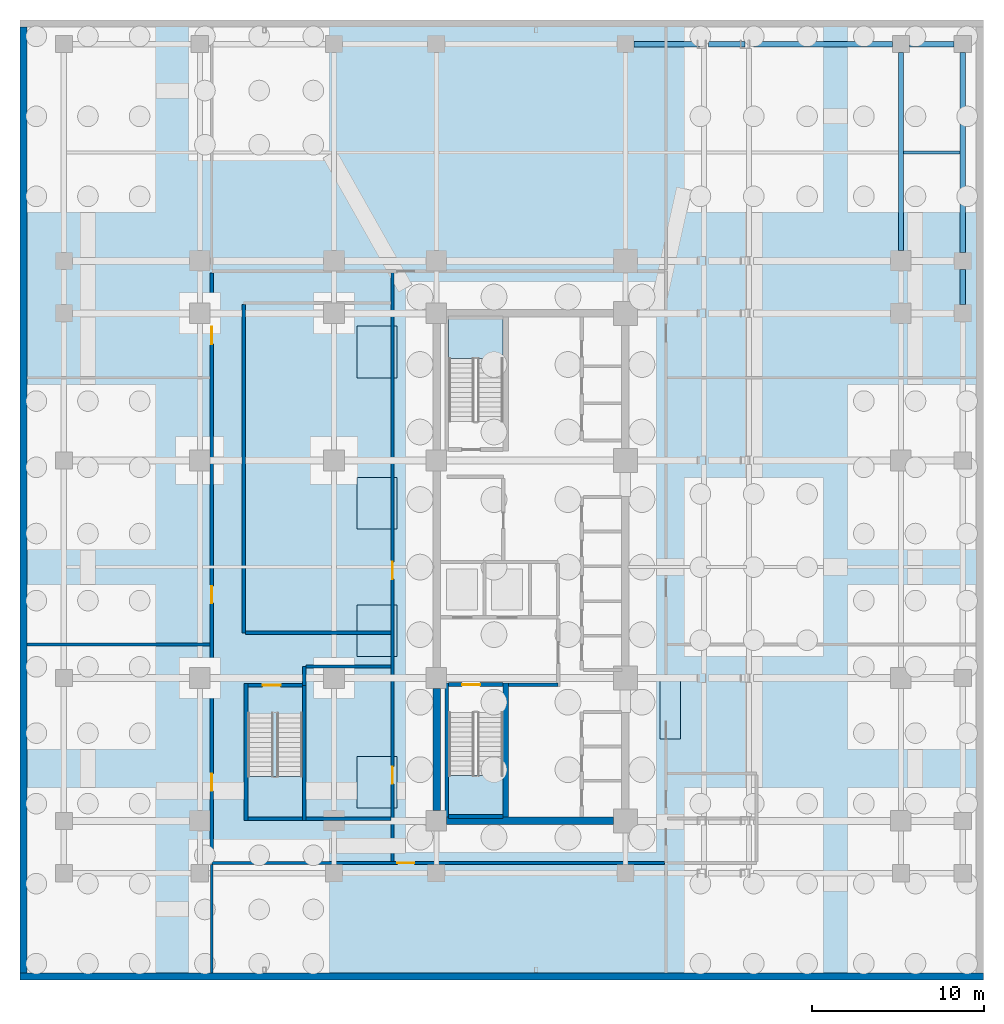
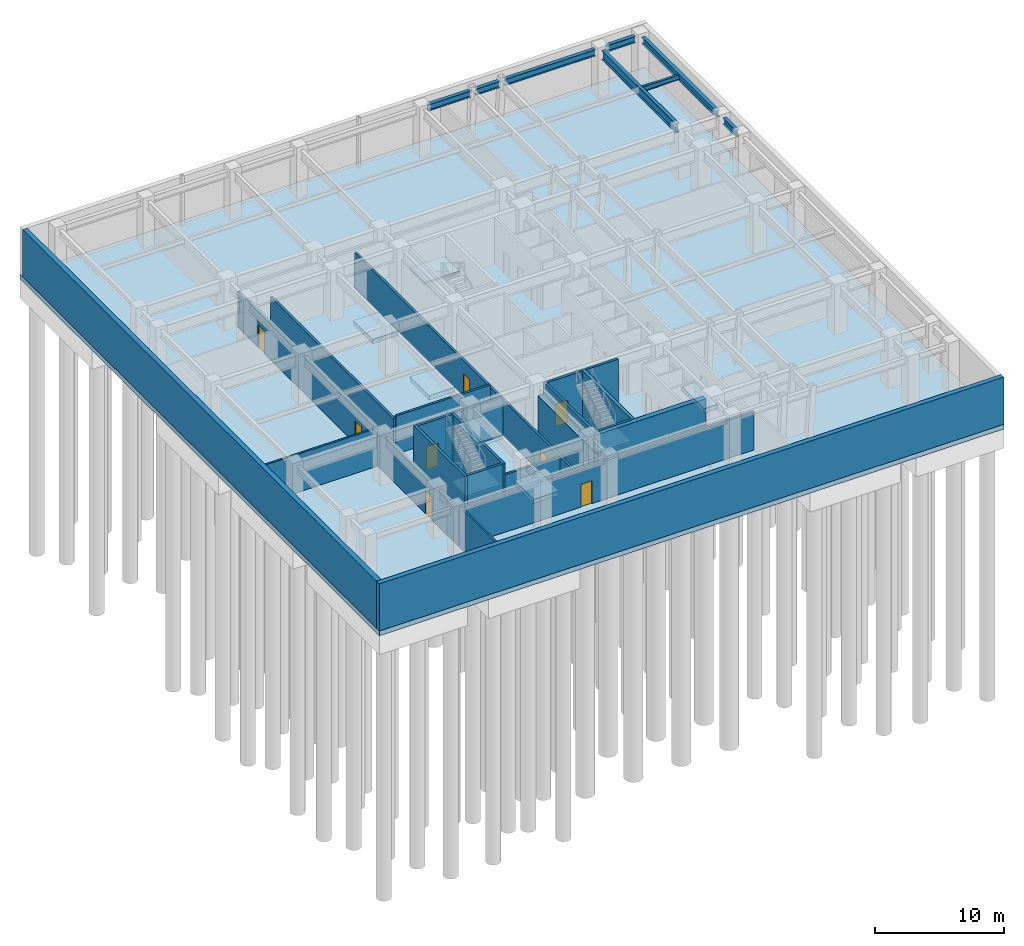
# One storey, part 9 of 13: 23 walls, 9 slabs, 8 beams, 8 doors, 8 openings, 3 elements without a shape of their own.
"""IFC4 building model written with IfcOpenShell, lengths in metres."""

from ifc_helpers import new_model, si_unit, direction, frame, frame_2d, origin, origin_2d, place, context, subcontext, project, spatial, polyline, rectangle, i_section, outline, extrude, material, layer, layer_set, material_profile, profile_set, type_object, element, fill, aggregate, save


model = new_model("IFC4")

# Units and contexts
model_context = context("Model", 3, precision=1e-05, world=origin(), true_north=direction((0.0, 1.0)))
body_context = subcontext(model_context, "Body", "Model", "MODEL_VIEW")
ifc_project = project(units=[si_unit("LENGTHUNIT", "METRE"), si_unit("AREAUNIT", "SQUARE_METRE"), si_unit("VOLUMEUNIT", "CUBIC_METRE"), si_unit("PLANEANGLEUNIT", "RADIAN"), si_unit("MASSUNIT", "GRAM", prefix="KILO")], contexts=[model_context])

# Site, building, storey
site_placement = place(None, origin())
site = spatial("IfcSite", under=ifc_project, at=site_placement, CompositionType="ELEMENT")
building_placement = place(site_placement, origin())
building = spatial("IfcBuilding", under=site, at=building_placement, Name="Ochreholt Gables", CompositionType="ELEMENT")
storey_placement = place(building_placement, frame((0.0, 0.0, -9.60009765625)))
storey = spatial("IfcBuildingStorey", under=building, at=storey_placement, Name="B2", CompositionType="ELEMENT", Elevation=-9.60009765625)

# Beams
ifc_material_1 = material(Name="Steel CSA G40.21 350W", Category="steel")
ifc_material_profile_1 = material_profile(ifc_material_1, i_section(OverallWidth=0.2939453125, OverallDepth=0.85107421875, WebThickness=0.01611328125, FlangeThickness=0.02685546875, at=origin_2d()), Name="W840X226")
ifc_profile_set_1 = profile_set([ifc_material_profile_1], Name="Steel CSA G40.21 350W")
beam_type_1 = type_object("IfcBeamType", Name="BM-G-W840", PredefinedType="BEAM", material=ifc_profile_set_1)
beam_1_placement = place(storey_placement, frame((51.199951171875, 42.399658203125, 4.0546875), z_axis=(0.0, 1.0, 0.0), x_axis=(-1.0, 0.0, 0.0)))
element("IfcBeam", 1, at=beam_1_placement, inside=storey, type_object=beam_type_1, Name="B2 Beam BG-B2-E3-Y6Y7", PredefinedType="BEAM", context=body_context, shape_type="SweptSolid", body=[
    extrude(i_section(OverallWidth=0.2939453125, OverallDepth=0.85107421875, WebThickness=0.01611328125, FlangeThickness=0.02685546875, at=origin_2d()), origin(), (0.0, 0.0, 1.0), 11.500732421875),
])
ifc_material_profile_2 = material_profile(ifc_material_1, i_section(OverallWidth=0.18994140625, OverallDepth=0.45703125, WebThickness=0.009033203125, FlangeThickness=0.014404296875, at=origin_2d()), Name="W460X74")
ifc_profile_set_2 = profile_set([ifc_material_profile_2], Name="Steel CSA G40.21 350W")
beam_type_2 = type_object("IfcBeamType", Name="BM-J-W460B", PredefinedType="JOIST", material=ifc_profile_set_2)
beam_2_placement = place(storey_placement, frame((51.3466796875, 48.10009765625, 4.251708984375), z_axis=(1.0, 0.0, 0.0), x_axis=(0.0, 1.0, 0.0)))
element("IfcBeam", 2, at=beam_2_placement, inside=storey, type_object=beam_type_2, Name="B2 Beam BJ-B2-J2-E3E4", PredefinedType="JOIST", context=body_context, shape_type="SweptSolid", body=[
    extrude(i_section(OverallWidth=0.18994140625, OverallDepth=0.45703125, WebThickness=0.009033203125, FlangeThickness=0.014404296875, at=origin_2d()), origin(), (0.0, 0.0, 1.0), 3.291748046875),
])
ifc_material_profile_3 = material_profile(ifc_material_1, i_section(OverallWidth=0.323974609375, OverallDepth=0.611083984375, WebThickness=0.0126953125, FlangeThickness=0.01904296875, at=origin_2d()), Name="W610X155")
ifc_profile_set_3 = profile_set([ifc_material_profile_3], Name="Steel CSA G40.21 350W")
beam_type_3 = type_object("IfcBeamType", Name="BM-SP-W610", PredefinedType="SPANDREL", material=ifc_profile_set_3)
beam_3_placement = place(storey_placement, frame((35.69970703125, 54.39990234375, 4.174560546875), z_axis=(1.0, 0.0, 0.0), x_axis=(0.0, 1.0, 0.0)))
element("IfcBeam", 3, at=beam_3_placement, inside=storey, type_object=beam_type_3, Name="B2 Beam BG-B2-C2EM-Y7", PredefinedType="SPANDREL", context=body_context, shape_type="SweptSolid", body=[
    extrude(i_section(OverallWidth=0.323974609375, OverallDepth=0.611083984375, WebThickness=0.0126953125, FlangeThickness=0.01904296875, at=origin_2d()), origin(), (0.0, 0.0, 1.0), 3.818603515625),
])
beam_4_placement = place(storey_placement, frame((40.017578125, 54.39990234375, 4.174560546875), z_axis=(1.0, 0.0, 0.0), x_axis=(0.0, 1.0, 0.0)))
element("IfcBeam", 4, at=beam_4_placement, inside=storey, type_object=beam_type_3, Name="B2 Beam BG-B2-EMEE-Y7", PredefinedType="SPANDREL", context=body_context, shape_type="SweptSolid", body=[
    extrude(i_section(OverallWidth=0.323974609375, OverallDepth=0.611083984375, WebThickness=0.0126953125, FlangeThickness=0.01904296875, at=origin_2d()), origin(), (0.0, 0.0, 1.0), 2.111328125),
])
beam_5_placement = place(storey_placement, frame((42.6279296875, 54.39990234375, 4.174560546875), z_axis=(1.0, 0.0, 0.0), x_axis=(0.0, 1.0, 0.0)))
element("IfcBeam", 5, at=beam_5_placement, inside=storey, type_object=beam_type_3, Name="B2 Beam BG-B2-EEE3-Y7", PredefinedType="SPANDREL", context=body_context, shape_type="SweptSolid", body=[
    extrude(i_section(OverallWidth=0.323974609375, OverallDepth=0.611083984375, WebThickness=0.0126953125, FlangeThickness=0.01904296875, at=origin_2d()), origin(), (0.0, 0.0, 1.0), 8.072509765625),
])
beam_6_placement = place(storey_placement, frame((51.69970703125, 54.39990234375, 4.174560546875), z_axis=(1.0, 0.0, 0.0), x_axis=(0.0, 1.0, 0.0)))
element("IfcBeam", 6, at=beam_6_placement, inside=storey, type_object=beam_type_3, Name="B2 Beam BG-B2-E3E4-Y7", PredefinedType="SPANDREL", context=body_context, shape_type="SweptSolid", body=[
    extrude(i_section(OverallWidth=0.323974609375, OverallDepth=0.611083984375, WebThickness=0.0126953125, FlangeThickness=0.01904296875, at=origin_2d()), origin(), (0.0, 0.0, 1.0), 2.6005859375),
])
beam_7_placement = place(storey_placement, frame((54.800048828125, 39.24951171875, 4.174560546875), z_axis=(0.0, 1.0, 0.0), x_axis=(-1.0, 0.0, 0.0)))
element("IfcBeam", 7, at=beam_7_placement, inside=storey, type_object=beam_type_3, Name="B2 Beam BG-B2-E4-Y5Y6", PredefinedType="SPANDREL", context=body_context, shape_type="SweptSolid", body=[
    extrude(i_section(OverallWidth=0.323974609375, OverallDepth=0.611083984375, WebThickness=0.0126953125, FlangeThickness=0.01904296875, at=origin_2d()), origin(), (0.0, 0.0, 1.0), 2.05078125),
])
beam_8_placement = place(storey_placement, frame((54.800048828125, 42.299560546875, 4.174560546875), z_axis=(0.0, 1.0, 0.0), x_axis=(-1.0, 0.0, 0.0)))
element("IfcBeam", 8, at=beam_8_placement, inside=storey, type_object=beam_type_3, Name="B2 Beam BG-B2-E4-Y6Y7", PredefinedType="SPANDREL", context=body_context, shape_type="SweptSolid", body=[
    extrude(i_section(OverallWidth=0.323974609375, OverallDepth=0.611083984375, WebThickness=0.0126953125, FlangeThickness=0.01904296875, at=origin_2d()), origin(), (0.0, 0.0, 1.0), 11.600830078125),
])

# Stair, slab
ifc_material_2 = material(Name="Concrete 40 MPa", Category="concrete")
stair_type_1 = type_object("IfcStairType", Name="STAIR-CORE-ST-1", PredefinedType="HALF_TURN_STAIR", material=ifc_material_2)
stair_1_placement = place(storey_placement, origin())
stair_1 = element("IfcStair", 9, at=stair_1_placement, inside=storey, type_object=stair_type_1, Name="B2 Core Exit Stair 1", PredefinedType="HALF_TURN_STAIR")
ifc_layer_1 = layer(ifc_material_2, 0.199951171875, Name="Concrete 40 MPa")
ifc_layer_set_1 = layer_set([ifc_layer_1], Name="Concrete 40 MPa")
slab_type_1 = type_object("IfcSlabType", Name="LANDING-RC200", PredefinedType="LANDING", material=ifc_layer_set_1)
slab_1_placement = place(storey_placement, frame((0.0, 0.0, 2.2001953125)))
slab_1 = element("IfcSlab", 10, at=slab_1_placement, type_object=slab_type_1, Name="ST-1 landing 1", PredefinedType="LANDING", context=body_context, shape_type="SweptSolid", body=[
    extrude(outline(polyline([(24.919921875, 11.8740234375), (24.919921875, 9.52001953125), (28.080078125, 9.52001953125), (28.080078125, 11.8740234375), (24.919921875, 11.8740234375)])), origin(), (0.0, 0.0, 1.0), 0.199951171875),
])
aggregate(stair_1, [slab_1])

stair_type_2 = type_object("IfcStairType", Name="STAIR-CORE-ST-2", PredefinedType="HALF_TURN_STAIR", material=ifc_material_2)
stair_2_placement = place(storey_placement, origin())
stair_2 = element("IfcStair", 11, at=stair_2_placement, inside=storey, type_object=stair_type_2, Name="B2 Core Exit Stair 2", PredefinedType="HALF_TURN_STAIR")
slab_2_placement = place(storey_placement, frame((0.0, 0.0, 2.2001953125)))
slab_2 = element("IfcSlab", 12, at=slab_2_placement, type_object=slab_type_1, Name="ST-2 landing 1", PredefinedType="LANDING", context=body_context, shape_type="SweptSolid", body=[
    extrude(outline(polyline([(28.080078125, 36.1259765625), (28.080078125, 38.47998046875), (24.919921875, 38.47998046875), (24.919921875, 36.1259765625), (28.080078125, 36.1259765625)])), origin(), (0.0, 0.0, 1.0), 0.199951171875),
])
aggregate(stair_2, [slab_2])

stair_type_3 = type_object("IfcStairType", Name="STAIR-CORE-ST-P1", PredefinedType="HALF_TURN_STAIR", material=ifc_material_2)
stair_3_placement = place(storey_placement, origin())
stair_3 = element("IfcStair", 13, at=stair_3_placement, inside=storey, type_object=stair_type_3, Name="B2 Podium Exit Stair 3", PredefinedType="HALF_TURN_STAIR")
slab_3_placement = place(storey_placement, frame((0.0, 0.0, 2.2001953125)))
slab_3 = element("IfcSlab", 14, at=slab_3_placement, type_object=slab_type_1, Name="ST-P1 landing 1", PredefinedType="LANDING", context=body_context, shape_type="SweptSolid", body=[
    extrude(outline(polyline([(13.25, 11.833984375), (13.25, 9.47998046875), (16.409912109375, 9.47998046875), (16.409912109375, 11.833984375), (13.25, 11.833984375)])), origin(), (0.0, 0.0, 1.0), 0.199951171875),
])
aggregate(stair_3, [slab_3])

# Slabs
ifc_material_3 = material(Name="Concrete 50 MPa", Category="concrete")
ifc_layer_2 = layer(ifc_material_3, 0.449951171875, Name="Concrete 50 MPa")
ifc_layer_set_2 = layer_set([ifc_layer_2], Name="Concrete 50 MPa")
slab_type_2 = type_object("IfcSlabType", Name="SLAB-BASE-450", PredefinedType="BASESLAB", material=ifc_layer_set_2)
slab_4_placement = place(storey_placement, frame((0.0, 0.0, -0.449951171875)))
element("IfcSlab", 15, at=slab_4_placement, inside=storey, type_object=slab_type_2, Name="B2 Structural Mat Base Slab", PredefinedType="BASESLAB", context=body_context, shape_type="SweptSolid", body=[
    extrude(outline(polyline([(0.0, 0.0), (56.0, 0.0), (56.0, 55.800048828125), (0.0, 55.800048828125), (0.0, 0.0)])), origin(), (0.0, 0.0, 1.0), 0.449951171875),
])
ifc_layer_3 = layer(ifc_material_3, 0.419921875, Name="Concrete 50 MPa")
ifc_layer_set_3 = layer_set([ifc_layer_3], Name="Concrete 50 MPa")
slab_type_3 = type_object("IfcSlabType", Name="SLAB-PIT-420", PredefinedType="BASESLAB", material=ifc_layer_set_3)
slab_5_placement = place(storey_placement, frame((0.0, 0.0, -0.869873046875)))
element("IfcSlab", 16, at=slab_5_placement, inside=storey, type_object=slab_type_3, Name="B2 Sump Base Slab PIT-S1", PredefinedType="BASESLAB", context=body_context, shape_type="SweptSolid", body=[
    extrude(outline(polyline([(19.60009765625, 10.0), (21.89990234375, 10.0), (21.89990234375, 13.0), (19.60009765625, 13.0), (19.60009765625, 10.0)])), origin(), (0.0, 0.0, 1.0), 0.419921875),
])
slab_6_placement = place(storey_placement, frame((0.0, 0.0, -0.869873046875)))
element("IfcSlab", 17, at=slab_6_placement, inside=storey, type_object=slab_type_3, Name="B2 Sump Base Slab PIT-S2", PredefinedType="BASESLAB", context=body_context, shape_type="SweptSolid", body=[
    extrude(outline(polyline([(19.60009765625, 18.800048828125), (21.89990234375, 18.800048828125), (21.89990234375, 21.800048828125), (19.60009765625, 21.800048828125), (19.60009765625, 18.800048828125)])), origin(), (0.0, 0.0, 1.0), 0.419921875),
])
slab_7_placement = place(storey_placement, frame((0.0, 0.0, -0.869873046875)))
element("IfcSlab", 18, at=slab_7_placement, inside=storey, type_object=slab_type_3, Name="B2 Sump Base Slab PIT-S3", PredefinedType="BASESLAB", context=body_context, shape_type="SweptSolid", body=[
    extrude(outline(polyline([(19.60009765625, 26.199951171875), (21.89990234375, 26.199951171875), (21.89990234375, 29.199951171875), (19.60009765625, 29.199951171875), (19.60009765625, 26.199951171875)])), origin(), (0.0, 0.0, 1.0), 0.419921875),
])
slab_8_placement = place(storey_placement, frame((0.0, 0.0, -0.869873046875)))
element("IfcSlab", 19, at=slab_8_placement, inside=storey, type_object=slab_type_3, Name="B2 Sump Base Slab PIT-S4", PredefinedType="BASESLAB", context=body_context, shape_type="SweptSolid", body=[
    extrude(outline(polyline([(19.60009765625, 35.0), (21.89990234375, 35.0), (21.89990234375, 38.0), (19.60009765625, 38.0), (19.60009765625, 35.0)])), origin(), (0.0, 0.0, 1.0), 0.419921875),
])
slab_9_placement = place(storey_placement, frame((0.0, 0.0, -0.869873046875)))
element("IfcSlab", 20, at=slab_9_placement, inside=storey, type_object=slab_type_3, Name="B2 Sump Base Slab PIT-E1", PredefinedType="BASESLAB", context=body_context, shape_type="SweptSolid", body=[
    extrude(outline(polyline([(37.199951171875, 14.0), (38.39990234375, 14.0), (38.39990234375, 17.5), (37.199951171875, 17.5), (37.199951171875, 14.0)])), origin(), (0.0, 0.0, 1.0), 0.419921875),
])

# Walls
ifc_layer_4 = layer(ifc_material_3, 0.419921875, Name="Concrete 50 MPa")
ifc_layer_set_4 = layer_set([ifc_layer_4], Name="Concrete 50 MPa")
wall_type_1 = type_object("IfcWallType", Name="WALL-BSM-420", PredefinedType="SHEAR", material=ifc_layer_set_4)
wall_1_placement = place(storey_placement, frame((0.0, 0.2099609375, 0.0), z_axis=(0.0, 0.0, 1.0), x_axis=(1.0, 0.0, 0.0)))
element("IfcWall", 21, at=wall_1_placement, inside=storey, type_object=wall_type_1, Name="B2 South Retaining Shear Wall", PredefinedType="SHEAR", context=body_context, shape_type="SweptSolid", body=[
    extrude(rectangle(XDim=56.0, YDim=0.419921875, at=frame_2d((28.0, 0.0))), origin(), (0.0, 0.0, 1.0), 4.47998046875),
])
wall_2_placement = place(storey_placement, frame((0.2099609375, 0.419921875, 0.0), z_axis=(0.0, 0.0, 1.0), x_axis=(0.0, 1.0, 0.0)))
element("IfcWall", 22, at=wall_2_placement, inside=storey, type_object=wall_type_1, Name="B2 West Retaining Shear Wall", PredefinedType="SHEAR", context=body_context, shape_type="SweptSolid", body=[
    extrude(rectangle(XDim=54.9599609375, YDim=0.419921875, at=frame_2d((27.47998046875, 0.0))), origin(), (0.0, 0.0, 1.0), 4.47998046875),
])
ifc_material_4 = material(Name="Concrete 60 MPa", Category="concrete")
ifc_layer_5 = layer(ifc_material_4, 0.449951171875, Name="Concrete 60 MPa")
ifc_layer_set_5 = layer_set([ifc_layer_5], Name="Concrete 60 MPa")
wall_type_2 = type_object("IfcWallType", Name="WALL-CSW-450", PredefinedType="SHEAR", material=ifc_layer_set_5)
wall_3_placement = place(storey_placement, frame((24.22509765625, 9.85009765625, 0.0), z_axis=(0.0, 0.0, 1.0), x_axis=(0.0, 1.0, 0.0)))
element("IfcWall", 23, at=wall_3_placement, inside=storey, type_object=wall_type_2, Name="B2 Core West Shear Wall WS", PredefinedType="SHEAR", context=body_context, shape_type="SweptSolid", body=[
    extrude(rectangle(XDim=7.099853515625, YDim=0.449951171875, at=frame_2d((3.5498046875, 0.0))), origin(), (0.0, 0.0, 1.0), 3.629150390625),
])
wall_4_placement = place(storey_placement, frame((24.800048828125, 9.25, 0.0), z_axis=(0.0, 0.0, 1.0), x_axis=(1.0, 0.0, 0.0)))
element("IfcWall", 24, at=wall_4_placement, inside=storey, type_object=wall_type_2, Name="B2 Core South Shear Wall", PredefinedType="SHEAR", context=body_context, shape_type="SweptSolid", body=[
    extrude(rectangle(XDim=9.699951171875, YDim=0.449951171875, at=frame_2d((4.85009765625, 0.0))), origin(), (0.0, 0.0, 1.0), 4.47998046875),
])
ifc_layer_6 = layer(ifc_material_2, 0.199951171875, Name="Concrete 40 MPa")
ifc_layer_set_6 = layer_set([ifc_layer_6], Name="Concrete 40 MPa")
wall_type_3 = type_object("IfcWallType", Name="WALL-INT-CF200", PredefinedType="STANDARD", material=ifc_layer_set_6)
wall_5_placement = place(storey_placement, frame((28.3798828125, 17.169921875, 0.0), z_axis=(0.0, 0.0, 1.0), x_axis=(1.0, 0.0, 0.0)))
element("IfcWall", 25, at=wall_5_placement, inside=storey, type_object=wall_type_3, Name="B2 Interior Wall WI-FFS-B2", PredefinedType="STANDARD", context=body_context, shape_type="SweptSolid", body=[
    extrude(rectangle(XDim=2.900146484375, YDim=0.199951171875, at=frame_2d((1.4501953125, 0.0))), origin(), (0.0, 0.0, 1.0), 4.47998046875),
])

# Wall, openings, doors
ifc_material_5 = material(Name="Fire-Rated Gypsum Acoustic Partition", Category="gypsum")
ifc_layer_7 = layer(ifc_material_5, 0.18994140625, Name="Fire-Rated Gypsum Acoustic Partition")
ifc_layer_set_7 = layer_set([ifc_layer_7], Name="Fire-Rated Gypsum Acoustic Partition")
wall_type_4 = type_object("IfcWallType", Name="WALL-INT-CR190", PredefinedType="STANDARD", material=ifc_layer_set_7)
wall_6_placement = place(storey_placement, frame((21.64990234375, 6.800048828125, 0.0), z_axis=(0.0, 0.0, 1.0), x_axis=(0.0, 1.0, 0.0)))
wall_6 = element("IfcWall", 26, at=wall_6_placement, inside=storey, type_object=wall_type_4, Name="B2 Interior Wall WI-BCW-B2", PredefinedType="STANDARD", context=body_context, shape_type="SweptSolid", body=[
    extrude(rectangle(XDim=34.39990234375, YDim=0.18994140625, at=frame_2d((17.199951171875, 0.0))), origin(), (0.0, 0.0, 1.0), 3.362060546875),
])
opening_1_placement = place(wall_6_placement, frame((4.60009765625, 0.0, 0.0)))
opening_1 = element("IfcOpeningElement", 27, at=opening_1_placement, cuts=wall_6, Name="Opening D-SV3", PredefinedType="OPENING", context=body_context, shape_type="SweptSolid", body=[
    extrude(rectangle(XDim=1.0, YDim=2.14990234375, at=frame_2d((0.5, 1.074951171875))), frame((0.0, 0.10498046875, 0.0), z_axis=(0.0, -1.0, 0.0), x_axis=(1.0, 0.0, 0.0)), (0.0, 0.0, 1.0), 0.2099609375),
])
opening_2_placement = place(wall_6_placement, frame((16.5, 0.0, 0.0)))
opening_2 = element("IfcOpeningElement", 28, at=opening_2_placement, cuts=wall_6, Name="Opening D-SV3", PredefinedType="OPENING", context=body_context, shape_type="SweptSolid", body=[
    extrude(rectangle(XDim=1.0, YDim=2.14990234375, at=frame_2d((0.5, 1.074951171875))), frame((0.0, 0.10498046875, 0.0), z_axis=(0.0, -1.0, 0.0), x_axis=(1.0, 0.0, 0.0)), (0.0, 0.0, 1.0), 0.2099609375),
])
ifc_material_6 = material(Name="Hollow Metal Steel", Category="steel")
door_type_1 = type_object("IfcDoorType", Name="DR-INT-SRV1000", OperationType="NOTDEFINED", PredefinedType="DOOR", material=ifc_material_6)
door_1_placement = place(opening_1_placement, origin())
door_1 = element("IfcDoor", 29, at=door_1_placement, inside=storey, type_object=door_type_1, Name="B2 Door D-BM4-B2", OperationType="SINGLE_SWING_LEFT", OverallHeight=2.14990234375, OverallWidth=1.0, PredefinedType="DOOR", context=body_context, shape_type="SweptSolid", body=[
    extrude(rectangle(XDim=1.0, YDim=2.14990234375, at=frame_2d((0.5, 1.074951171875))), frame((0.0, 0.02490234375, 0.0), z_axis=(0.0, -1.0, 0.0), x_axis=(1.0, 0.0, 0.0)), (0.0, 0.0, 1.0), 0.050048828125),
])
fill(opening_1, door_1)
door_2_placement = place(opening_2_placement, origin())
door_2 = element("IfcDoor", 30, at=door_2_placement, inside=storey, type_object=door_type_1, Name="B2 Door D-BM5-B2", OperationType="SINGLE_SWING_RIGHT", OverallHeight=2.14990234375, OverallWidth=1.0, PredefinedType="DOOR", context=body_context, shape_type="SweptSolid", body=[
    extrude(rectangle(XDim=1.0, YDim=2.14990234375, at=frame_2d((0.5, 1.074951171875))), frame((0.0, 0.02490234375, 0.0), z_axis=(0.0, -1.0, 0.0), x_axis=(1.0, 0.0, 0.0)), (0.0, 0.0, 1.0), 0.050048828125),
])
fill(opening_2, door_2)

# Wall, opening, door
wall_7_placement = place(storey_placement, frame((11.14990234375, 6.800048828125, 0.0), z_axis=(0.0, 0.0, 1.0), x_axis=(1.0, 0.0, 0.0)))
wall_7 = element("IfcWall", 31, at=wall_7_placement, inside=storey, type_object=wall_type_4, Name="B2 Interior Wall WI-BCS-B2", PredefinedType="STANDARD", context=body_context, shape_type="SweptSolid", body=[
    extrude(rectangle(XDim=26.30517578125, YDim=0.18994140625, at=frame_2d((13.152587890625, 0.0))), origin(), (0.0, 0.0, 1.0), 3.611083984375),
])
opening_3_placement = place(wall_7_placement, frame((10.780029296875, 0.0, 0.0)))
opening_3 = element("IfcOpeningElement", 32, at=opening_3_placement, cuts=wall_7, Name="Opening D-SV3", PredefinedType="OPENING", context=body_context, shape_type="SweptSolid", body=[
    extrude(rectangle(XDim=1.0, YDim=2.14990234375, at=frame_2d((0.5, 1.074951171875))), frame((0.0, 0.10498046875, 0.0), z_axis=(0.0, -1.0, 0.0), x_axis=(1.0, 0.0, 0.0)), (0.0, 0.0, 1.0), 0.2099609375),
])
door_3_placement = place(opening_3_placement, origin())
door_3 = element("IfcDoor", 33, at=door_3_placement, inside=storey, type_object=door_type_1, Name="B2 Door D-BM9-B2", OperationType="SINGLE_SWING_RIGHT", OverallHeight=2.14990234375, OverallWidth=1.0, PredefinedType="DOOR", context=body_context, shape_type="SweptSolid", body=[
    extrude(rectangle(XDim=1.0, YDim=2.14990234375, at=frame_2d((0.5, 1.074951171875))), frame((0.0, 0.02490234375, 0.0), z_axis=(0.0, -1.0, 0.0), x_axis=(1.0, 0.0, 0.0)), (0.0, 0.0, 1.0), 0.050048828125),
])
fill(opening_3, door_3)

# Wall
wall_8_placement = place(storey_placement, frame((16.6298828125, 9.3701171875, 0.0), z_axis=(0.0, 0.0, 1.0), x_axis=(1.0, 0.0, 0.0)))
element("IfcWall", 34, at=wall_8_placement, inside=storey, type_object=wall_type_4, Name="B2 Interior Wall WI-BCS2-B2", PredefinedType="STANDARD", context=body_context, shape_type="SweptSolid", body=[
    extrude(rectangle(XDim=4.925048828125, YDim=0.18994140625, at=frame_2d((2.46240234375, 0.0))), origin(), (0.0, 0.0, 1.0), 3.362060546875),
])

# Wall, openings, doors
wall_9_placement = place(storey_placement, frame((11.14990234375, 6.89501953125, 0.0), z_axis=(0.0, 0.0, 1.0), x_axis=(0.0, 1.0, 0.0)))
wall_9 = element("IfcWall", 35, at=wall_9_placement, inside=storey, type_object=wall_type_4, Name="B2 Interior Wall WI-BCWW-B2", PredefinedType="STANDARD", context=body_context, shape_type="SweptSolid", body=[
    extrude(rectangle(XDim=34.2099609375, YDim=0.18994140625, at=frame_2d((17.10498046875, 0.0))), origin(), (0.0, 0.0, 1.0), 3.362060546875),
])
opening_4_placement = place(wall_9_placement, frame((4.10498046875, 0.0, 0.0)))
opening_4 = element("IfcOpeningElement", 36, at=opening_4_placement, cuts=wall_9, Name="Opening D-SV3", PredefinedType="OPENING", context=body_context, shape_type="SweptSolid", body=[
    extrude(rectangle(XDim=1.0, YDim=2.14990234375, at=frame_2d((0.5, 1.074951171875))), frame((0.0, 0.10498046875, 0.0), z_axis=(0.0, -1.0, 0.0), x_axis=(1.0, 0.0, 0.0)), (0.0, 0.0, 1.0), 0.2099609375),
])
opening_5_placement = place(wall_9_placement, frame((15.0048828125, 0.0, 0.0)))
opening_5 = element("IfcOpeningElement", 37, at=opening_5_placement, cuts=wall_9, Name="Opening D-SV3", PredefinedType="OPENING", context=body_context, shape_type="SweptSolid", body=[
    extrude(rectangle(XDim=1.0, YDim=2.14990234375, at=frame_2d((0.5, 1.074951171875))), frame((0.0, 0.10498046875, 0.0), z_axis=(0.0, -1.0, 0.0), x_axis=(1.0, 0.0, 0.0)), (0.0, 0.0, 1.0), 0.2099609375),
])
opening_6_placement = place(wall_9_placement, frame((30.06494140625, 0.0, 0.0)))
opening_6 = element("IfcOpeningElement", 38, at=opening_6_placement, cuts=wall_9, Name="Opening D-SV3", PredefinedType="OPENING", context=body_context, shape_type="SweptSolid", body=[
    extrude(rectangle(XDim=1.0, YDim=2.14990234375, at=frame_2d((0.5, 1.074951171875))), frame((0.0, 0.10498046875, 0.0), z_axis=(0.0, -1.0, 0.0), x_axis=(1.0, 0.0, 0.0)), (0.0, 0.0, 1.0), 0.2099609375),
])
door_4_placement = place(opening_4_placement, origin())
door_4 = element("IfcDoor", 39, at=door_4_placement, inside=storey, type_object=door_type_1, Name="B2 Door D-BM1-B2", OperationType="SINGLE_SWING_RIGHT", OverallHeight=2.14990234375, OverallWidth=1.0, PredefinedType="DOOR", context=body_context, shape_type="SweptSolid", body=[
    extrude(rectangle(XDim=1.0, YDim=2.14990234375, at=frame_2d((0.5, 1.074951171875))), frame((0.0, 0.02490234375, 0.0), z_axis=(0.0, -1.0, 0.0), x_axis=(1.0, 0.0, 0.0)), (0.0, 0.0, 1.0), 0.050048828125),
])
fill(opening_4, door_4)
door_5_placement = place(opening_5_placement, origin())
door_5 = element("IfcDoor", 40, at=door_5_placement, inside=storey, type_object=door_type_1, Name="B2 Door D-BM2-B2", OperationType="SINGLE_SWING_LEFT", OverallHeight=2.14990234375, OverallWidth=1.0, PredefinedType="DOOR", context=body_context, shape_type="SweptSolid", body=[
    extrude(rectangle(XDim=1.0, YDim=2.14990234375, at=frame_2d((0.5, 1.074951171875))), frame((0.0, 0.02490234375, 0.0), z_axis=(0.0, -1.0, 0.0), x_axis=(1.0, 0.0, 0.0)), (0.0, 0.0, 1.0), 0.050048828125),
])
fill(opening_5, door_5)
door_6_placement = place(opening_6_placement, origin())
door_6 = element("IfcDoor", 41, at=door_6_placement, inside=storey, type_object=door_type_1, Name="B2 Door D-BM3-B2", OperationType="SINGLE_SWING_RIGHT", OverallHeight=2.14990234375, OverallWidth=1.0, PredefinedType="DOOR", context=body_context, shape_type="SweptSolid", body=[
    extrude(rectangle(XDim=1.0, YDim=2.14990234375, at=frame_2d((0.5, 1.074951171875))), frame((0.0, 0.02490234375, 0.0), z_axis=(0.0, -1.0, 0.0), x_axis=(1.0, 0.0, 0.0)), (0.0, 0.0, 1.0), 0.050048828125),
])
fill(opening_6, door_6)

# Walls
wall_10_placement = place(storey_placement, frame((13.0, 20.179931640625, 0.0), z_axis=(0.0, 0.0, 1.0), x_axis=(0.0, 1.0, 0.0)))
element("IfcWall", 42, at=wall_10_placement, inside=storey, type_object=wall_type_4, Name="B2 Interior Wall WI-BCWE2-B2", PredefinedType="STANDARD", context=body_context, shape_type="SweptSolid", body=[
    extrude(rectangle(XDim=19.074951171875, YDim=0.18994140625, at=frame_2d((9.53759765625, 0.0))), origin(), (0.0, 0.0, 1.0), 3.362060546875),
])
wall_11_placement = place(storey_placement, frame((16.6298828125, 18.219970703125, 0.0), z_axis=(0.0, 0.0, 1.0), x_axis=(1.0, 0.0, 0.0)))
element("IfcWall", 43, at=wall_11_placement, inside=storey, type_object=wall_type_4, Name="B2 Interior Wall WI-STP-EXT-B2", PredefinedType="STANDARD", context=body_context, shape_type="SweptSolid", body=[
    extrude(rectangle(XDim=4.925048828125, YDim=0.18994140625, at=frame_2d((2.46240234375, 0.0))), origin(), (0.0, 0.0, 1.0), 3.611083984375),
])
wall_12_placement = place(storey_placement, frame((16.52001953125, 17.1298828125, 0.0), z_axis=(0.0, 0.0, 1.0), x_axis=(0.0, 1.0, 0.0)))
element("IfcWall", 44, at=wall_12_placement, inside=storey, type_object=wall_type_4, Name="B2 Interior Wall WI-STP-E2-B2", PredefinedType="STANDARD", context=body_context, shape_type="SweptSolid", body=[
    extrude(rectangle(XDim=1.090087890625, YDim=0.18994140625, at=frame_2d((0.544921875, 0.0))), origin(), (0.0, 0.0, 1.0), 3.362060546875),
])
wall_13_placement = place(storey_placement, frame((13.094970703125, 20.179931640625, 0.0), z_axis=(0.0, 0.0, 1.0), x_axis=(1.0, 0.0, 0.0)))
element("IfcWall", 45, at=wall_13_placement, inside=storey, type_object=wall_type_4, Name="B2 Interior Wall WI-STP-N2-B2", PredefinedType="STANDARD", context=body_context, shape_type="SweptSolid", body=[
    extrude(rectangle(XDim=8.4599609375, YDim=0.18994140625, at=frame_2d((4.22998046875, 0.0))), origin(), (0.0, 0.0, 1.0), 3.611083984375),
])
ifc_material_7 = material(Name="Gypsum Acoustic Stud Partition", Category="gypsum")
ifc_layer_8 = layer(ifc_material_7, 0.159912109375, Name="Gypsum Acoustic Stud Partition")
ifc_layer_set_8 = layer_set([ifc_layer_8], Name="Gypsum Acoustic Stud Partition")
wall_type_5 = type_object("IfcWallType", Name="WALL-INT-PT160", PredefinedType="PARTITIONING", material=ifc_layer_set_8)
wall_14_placement = place(storey_placement, frame((11.14990234375, 0.419921875, 0.0), z_axis=(0.0, 0.0, 1.0), x_axis=(0.0, 1.0, 0.0)))
element("IfcWall", 46, at=wall_14_placement, inside=storey, type_object=wall_type_5, Name="B2 Interior Wall WI-BCWWS-B2", PredefinedType="PARTITIONING", context=body_context, shape_type="SweptSolid", body=[
    extrude(rectangle(XDim=6.28515625, YDim=0.159912109375, at=frame_2d((3.142578125, 0.0))), origin(), (0.0, 0.0, 1.0), 3.85107421875),
])
wall_15_placement = place(storey_placement, frame((0.419921875, 19.5, 0.0), z_axis=(0.0, 0.0, 1.0), x_axis=(1.0, 0.0, 0.0)))
element("IfcWall", 47, at=wall_15_placement, inside=storey, type_object=wall_type_5, Name="B2 Interior Wall WI-BW1-B2", PredefinedType="PARTITIONING", context=body_context, shape_type="SweptSolid", body=[
    extrude(rectangle(XDim=10.635009765625, YDim=0.159912109375, at=frame_2d((5.3173828125, 0.0))), origin(), (0.0, 0.0, 1.0), 3.611083984375),
])
ifc_layer_9 = layer(ifc_material_4, 0.300048828125, Name="Concrete 60 MPa")
ifc_layer_set_9 = layer_set([ifc_layer_9], Name="Concrete 60 MPa")
wall_type_6 = type_object("IfcWallType", Name="WALL-SPN-300", PredefinedType="SHEAR", material=ifc_layer_set_9)
wall_16_placement = place(storey_placement, frame((28.22998046875, 9.47509765625, 0.0), z_axis=(0.0, 0.0, 1.0), x_axis=(0.0, 1.0, 0.0)))
element("IfcWall", 48, at=wall_16_placement, inside=storey, type_object=wall_type_6, Name="B2 Core South Spine Shear Wall", PredefinedType="SHEAR", context=body_context, shape_type="SweptSolid", body=[
    extrude(rectangle(XDim=7.784912109375, YDim=0.300048828125, at=frame_2d((3.892578125, 0.0))), origin(), (0.0, 0.0, 1.0), 4.47998046875),
])
ifc_layer_10 = layer(ifc_material_3, 0.219970703125, Name="Concrete 50 MPa")
ifc_layer_set_10 = layer_set([ifc_layer_10], Name="Concrete 50 MPa")
wall_type_7 = type_object("IfcWallType", Name="WALL-STW-220", PredefinedType="SHEAR", material=ifc_layer_set_10)
wall_17_placement = place(storey_placement, frame((24.81005859375, 9.47509765625, 0.0), z_axis=(0.0, 0.0, 1.0), x_axis=(0.0, 1.0, 0.0)))
element("IfcWall", 49, at=wall_17_placement, inside=storey, type_object=wall_type_7, Name="B2 Exit Stair 1 West Wall", PredefinedType="SHEAR", context=body_context, shape_type="SweptSolid", body=[
    extrude(rectangle(XDim=7.784912109375, YDim=0.219970703125, at=frame_2d((3.892578125, 0.0))), origin(), (0.0, 0.0, 1.0), 4.47998046875),
])
wall_18_placement = place(storey_placement, frame((24.919921875, 9.510009765625, 0.0), z_axis=(0.0, 0.0, 1.0), x_axis=(1.0, 0.0, 0.0)))
element("IfcWall", 50, at=wall_18_placement, inside=storey, type_object=wall_type_7, Name="B2 Exit Stair 1 South Wall", PredefinedType="SHEAR", context=body_context, shape_type="SweptSolid", body=[
    extrude(rectangle(XDim=3.16015625, YDim=0.219970703125, at=frame_2d((1.580078125, 0.0))), origin(), (0.0, 0.0, 1.0), 4.47998046875),
])

# Wall, opening, door
wall_19_placement = place(storey_placement, frame((24.919921875, 17.169921875, 0.0), z_axis=(0.0, 0.0, 1.0), x_axis=(1.0, 0.0, 0.0)))
wall_19 = element("IfcWall", 51, at=wall_19_placement, inside=storey, type_object=wall_type_7, Name="B2 Exit Stair 1 North Wall", PredefinedType="SHEAR", context=body_context, shape_type="SweptSolid", body=[
    extrude(rectangle(XDim=3.16015625, YDim=0.219970703125, at=frame_2d((1.580078125, 0.0))), origin(), (0.0, 0.0, 1.0), 4.47998046875),
])
opening_7_placement = place(wall_19_placement, frame((0.780029296875, 0.0, 0.0)))
opening_7 = element("IfcOpeningElement", 52, at=opening_7_placement, cuts=wall_19, Name="Opening D-STC", PredefinedType="OPENING", context=body_context, shape_type="SweptSolid", body=[
    extrude(rectangle(XDim=1.050048828125, YDim=2.14990234375, at=frame_2d((0.52490234375, 1.074951171875))), frame((0.0, 0.119873046875, 0.0), z_axis=(0.0, -1.0, 0.0), x_axis=(1.0, 0.0, 0.0)), (0.0, 0.0, 1.0), 0.239990234375),
])
door_type_2 = type_object("IfcDoorType", Name="DR-INT-ST1050", OperationType="NOTDEFINED", PredefinedType="DOOR", material=ifc_material_6)
door_7_placement = place(opening_7_placement, frame((1.050048828125, 0.0, 0.0), z_axis=(0.0, 0.0, 1.0), x_axis=(-1.0, 0.0, 0.0)))
door_7 = element("IfcDoor", 53, at=door_7_placement, inside=storey, type_object=door_type_2, Name="B2 Door D-ST1-B2", OperationType="SINGLE_SWING_LEFT", OverallHeight=2.14990234375, OverallWidth=1.050048828125, PredefinedType="DOOR", context=body_context, shape_type="SweptSolid", body=[
    extrude(rectangle(XDim=1.050048828125, YDim=2.14990234375, at=frame_2d((0.52490234375, 1.074951171875))), frame((0.0, 0.02490234375, 0.0), z_axis=(0.0, -1.0, 0.0), x_axis=(1.0, 0.0, 0.0)), (0.0, 0.0, 1.0), 0.050048828125),
])
fill(opening_7, door_7)

# Walls
for number, where, z_axis, x_axis, name in (
    (54, (13.139892578125, 9.260009765625, 0.0), (0.0, 0.0, 1.0), (0.0, 1.0, 0.0), "B2 Podium Stair West Wall"),
    (55, (16.52001953125, 9.260009765625, 0.0), (0.0, 0.0, 1.0), (0.0, 1.0, 0.0), "B2 Podium Stair East Wall"),
):
    element("IfcWall", number, at=place(storey_placement, frame(where, z_axis=z_axis, x_axis=x_axis)), inside=storey, type_object=wall_type_7, Name=name, PredefinedType="SHEAR", context=body_context, shape_type="SweptSolid", body=[
        extrude(rectangle(XDim=7.97998046875, YDim=0.219970703125, at=frame_2d((3.989990234375, 0.0))), origin(), (0.0, 0.0, 1.0), 4.47998046875),
    ])
wall_20_placement = place(storey_placement, frame((13.25, 9.3701171875, 0.0), z_axis=(0.0, 0.0, 1.0), x_axis=(1.0, 0.0, 0.0)))
element("IfcWall", 56, at=wall_20_placement, inside=storey, type_object=wall_type_7, Name="B2 Podium Stair South Wall", PredefinedType="SHEAR", context=body_context, shape_type="SweptSolid", body=[
    extrude(rectangle(XDim=3.159912109375, YDim=0.219970703125, at=frame_2d((1.580078125, 0.0))), origin(), (0.0, 0.0, 1.0), 4.47998046875),
])

# Wall, opening, door
wall_21_placement = place(storey_placement, frame((13.25, 17.1298828125, 0.0), z_axis=(0.0, 0.0, 1.0), x_axis=(1.0, 0.0, 0.0)))
wall_21 = element("IfcWall", 57, at=wall_21_placement, inside=storey, type_object=wall_type_7, Name="B2 Podium Stair North Wall", PredefinedType="SHEAR", context=body_context, shape_type="SweptSolid", body=[
    extrude(rectangle(XDim=3.159912109375, YDim=0.219970703125, at=frame_2d((1.580078125, 0.0))), origin(), (0.0, 0.0, 1.0), 4.47998046875),
])
opening_8_placement = place(wall_21_placement, frame((0.85009765625, 0.0, 0.0)))
opening_8 = element("IfcOpeningElement", 58, at=opening_8_placement, cuts=wall_21, Name="Opening D-STC", PredefinedType="OPENING", context=body_context, shape_type="SweptSolid", body=[
    extrude(rectangle(XDim=1.050048828125, YDim=2.14990234375, at=frame_2d((0.52490234375, 1.074951171875))), frame((0.0, 0.119873046875, 0.0), z_axis=(0.0, -1.0, 0.0), x_axis=(1.0, 0.0, 0.0)), (0.0, 0.0, 1.0), 0.239990234375),
])
door_8_placement = place(opening_8_placement, frame((1.050048828125, 0.0, 0.0), z_axis=(0.0, 0.0, 1.0), x_axis=(-1.0, 0.0, 0.0)))
door_8 = element("IfcDoor", 59, at=door_8_placement, inside=storey, type_object=door_type_2, Name="B2 Door D-STP1-B2", OperationType="SINGLE_SWING_LEFT", OverallHeight=2.14990234375, OverallWidth=1.050048828125, PredefinedType="DOOR", context=body_context, shape_type="SweptSolid", body=[
    extrude(rectangle(XDim=1.050048828125, YDim=2.14990234375, at=frame_2d((0.52490234375, 1.074951171875))), frame((0.0, 0.02490234375, 0.0), z_axis=(0.0, -1.0, 0.0), x_axis=(1.0, 0.0, 0.0)), (0.0, 0.0, 1.0), 0.050048828125),
])
fill(opening_8, door_8)

save(model, "model.ifc")
